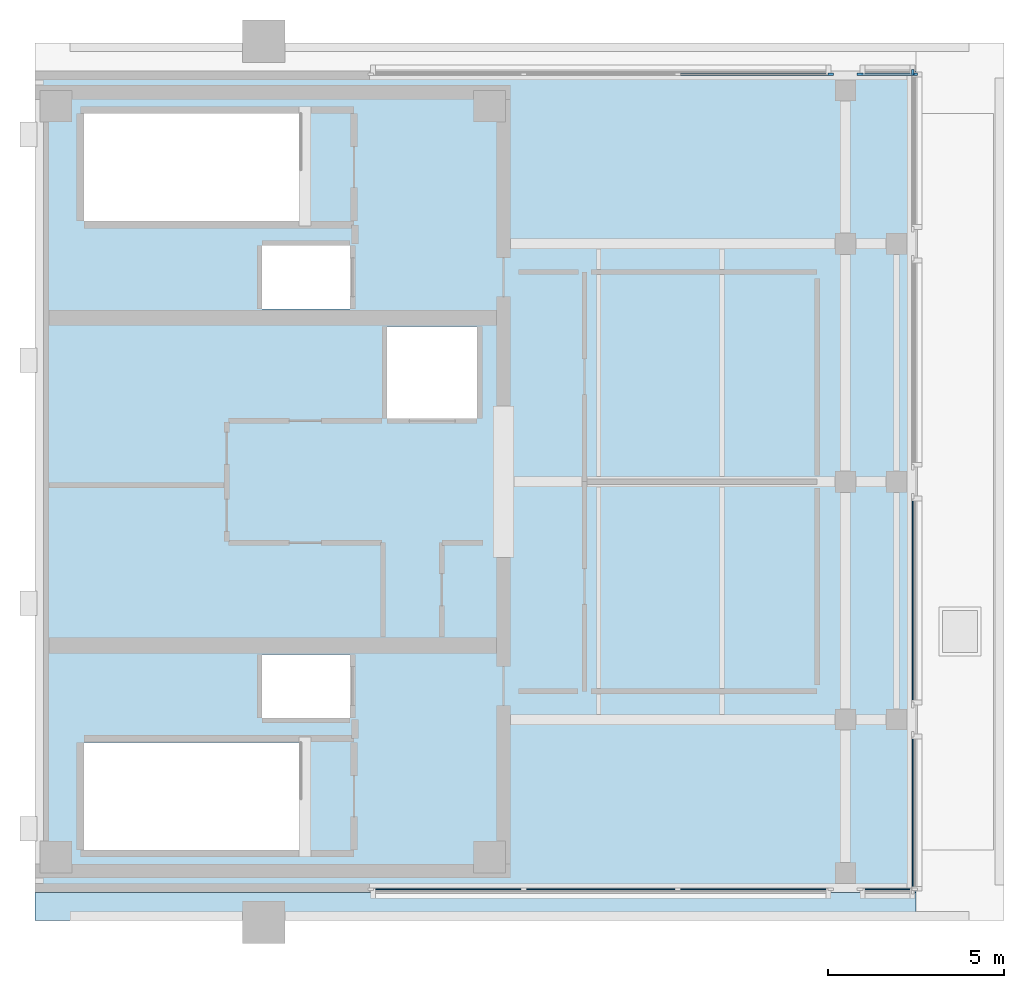
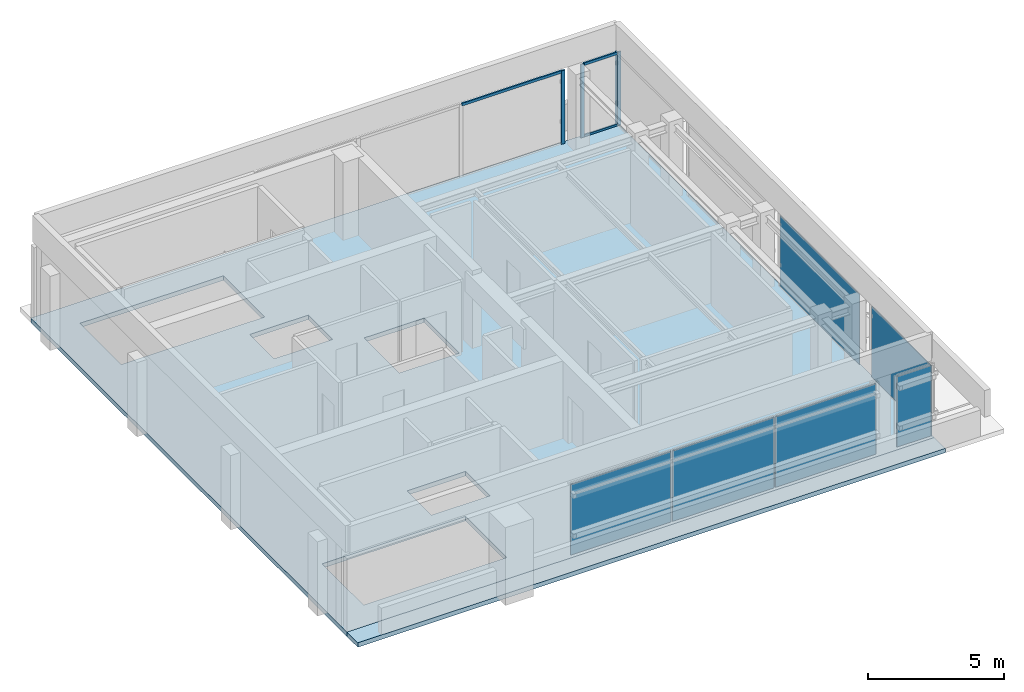
# One storey, part 2 of 5: 7 members, 6 plates, 2 slabs, 7 elements without a shape of their own.
"""IFC4 building model written with IfcOpenShell, lengths in metres."""

import ifcopenshell
import ifcopenshell.guid

model = None  # the IFC model being written
_history = None  # IfcOwnerHistory: only IFC2X3 demands one
_inside = {}  # id of a spatial element -> (the spatial element, [elements in it])
_under = {}  # id of a project, library or spatial element -> (it, [spatial elements below it])
_declared = {}  # id of a project -> (the project, [libraries it declares])
_typed = {}  # id of a type object -> (the type object, [elements of that type])
_made_of = {}  # id of a material, layer set ... -> (it, [elements and type objects made of it])


def new_model(schema):
    """Start an empty IFC model of exactly this schema.

    Asked for "IFC4X3", IfcOpenShell would pick the latest addendum, in which some entities
    have other attributes; the version numbers below select the first issue.
    IFC2X3 requires an IfcOwnerHistory on every rooted entity: one is made here for all.
    """
    global model, _history
    if schema == "IFC4X3":
        model = ifcopenshell.file(schema_version=(4, 3, 0, 0))
    else:
        model = ifcopenshell.file(schema=schema)
    _inside.clear()
    _under.clear()
    _declared.clear()
    _typed.clear()
    _made_of.clear()
    _history = None
    if model.schema == "IFC2X3":
        org = make("IfcOrganization", Name="unknown")
        user = make(
            "IfcPersonAndOrganization",
            ThePerson=make("IfcPerson", FamilyName="unknown"),
            TheOrganization=org,
        )
        app = make(
            "IfcApplication",
            ApplicationDeveloper=org,
            Version="unknown",
            ApplicationFullName="unknown",
            ApplicationIdentifier="unknown",
        )
        _history = make(
            "IfcOwnerHistory",
            OwningUser=user,
            OwningApplication=app,
            ChangeAction="ADDED",
            CreationDate=0,
        )
    return model


def make(cls, **values):
    """One entity of the class cls with the attributes given. An attribute that is None is left unset."""
    return model.create_entity(
        cls, **{name: value for name, value in values.items() if value is not None}
    )


def rooted(cls, **values):
    """An entity with a GlobalId (a new one), such as an element, a storey or a relation."""
    return make(cls, GlobalId=ifcopenshell.guid.new(), OwnerHistory=_history, **values)


def si_unit(unit_type, name, prefix=None):
    """IfcSIUnit, for example si_unit("LENGTHUNIT", "METRE", prefix="MILLI")."""
    return make("IfcSIUnit", UnitType=unit_type, Prefix=prefix, Name=name)


def assignment(units):
    """IfcUnitAssignment: the units of a project."""
    return None if units is None else make("IfcUnitAssignment", Units=units)


def point(xyz):
    """IfcCartesianPoint."""
    return None if xyz is None else make("IfcCartesianPoint", Coordinates=xyz)


def direction(xyz):
    """IfcDirection."""
    return None if xyz is None else make("IfcDirection", DirectionRatios=xyz)


def frame(location, z_axis=None, x_axis=None):
    """IfcAxis2Placement3D, a coordinate frame: its origin and axes. An axis left out is left unset."""
    return make(
        "IfcAxis2Placement3D",
        Location=point(location),
        Axis=direction(z_axis),
        RefDirection=direction(x_axis),
    )


def frame_2d(location, x_axis=None):
    """IfcAxis2Placement2D, a coordinate frame in the plane: its origin and x axis."""
    return make(
        "IfcAxis2Placement2D", Location=point(location), RefDirection=direction(x_axis)
    )


def origin():
    """The frame at (0, 0, 0) with its axes left unset."""
    return frame((0.0, 0.0, 0.0))


def origin_2d():
    """The frame at (0, 0) in the plane with its x axis left unset."""
    return frame_2d((0.0, 0.0))


def place(relative_to, where):
    """IfcLocalPlacement: puts the frame where relative to a parent placement (None: the world)."""
    return make(
        "IfcLocalPlacement", PlacementRelTo=relative_to, RelativePlacement=where
    )


def context(
    kind, dimensions, precision=None, world=None, true_north=None, identifier=None
):
    """IfcGeometricRepresentationContext, for example the 3D "Model" context."""
    return make(
        "IfcGeometricRepresentationContext",
        ContextIdentifier=identifier,
        ContextType=kind,
        CoordinateSpaceDimension=dimensions,
        Precision=precision,
        WorldCoordinateSystem=world,
        TrueNorth=true_north,
    )


def subcontext(parent, identifier, kind, view, scale=None):
    """IfcGeometricRepresentationSubContext, for example "Body" below "Model"."""
    return make(
        "IfcGeometricRepresentationSubContext",
        ContextIdentifier=identifier,
        ContextType=kind,
        ParentContext=parent,
        TargetScale=scale,
        TargetView=view,
    )


def project(units=None, contexts=None):
    """IfcProject with its units and contexts."""
    return rooted(
        "IfcProject",
        Name="project",
        RepresentationContexts=contexts,
        UnitsInContext=assignment(units),
    )


def spatial(cls, under=None, at=None, **own):
    """A site, building, storey or space (cls), placed at a placement, below another one or the project."""
    s = rooted(cls, ObjectPlacement=at, **own)
    if under is not None:
        _under.setdefault(under.id(), (under, []))[1].append(s)
    return s


def polyline(points):
    """IfcPolyline through the points."""
    return make("IfcPolyline", Points=[point(p) for p in points])


def profile(cls, at=None, kind="AREA", **sizes):
    """A parametric profile (cls). Its sizes go by their IFC names, for example OverallWidth=200.0."""
    return make(cls, ProfileType=kind, Position=at, **sizes)


def rectangle(**sizes):
    """IfcRectangleProfileDef."""
    return profile("IfcRectangleProfileDef", **sizes)


def outline(outer, holes=None, kind="AREA"):
    """IfcArbitraryClosedProfileDef: a profile drawn as a closed curve; with holes, ...WithVoids."""
    if holes is None:
        return make("IfcArbitraryClosedProfileDef", ProfileType=kind, OuterCurve=outer)
    return make(
        "IfcArbitraryProfileDefWithVoids",
        ProfileType=kind,
        OuterCurve=outer,
        InnerCurves=holes,
    )


def extrude(swept, where, along, depth):
    """IfcExtrudedAreaSolid: the profile swept, set in the frame where, extruded along a direction by depth."""
    return make(
        "IfcExtrudedAreaSolid",
        SweptArea=swept,
        Position=where,
        ExtrudedDirection=direction(along),
        Depth=depth,
    )


def shape(context_of_items, identifier, shape_type, items):
    """IfcShapeRepresentation: the items that make up one representation, for example the "Body"."""
    return make(
        "IfcShapeRepresentation",
        ContextOfItems=context_of_items,
        RepresentationIdentifier=identifier,
        RepresentationType=shape_type,
        Items=items,
    )


def material(Name=None, Category=None):
    """IfcMaterial."""
    return make("IfcMaterial", Name=Name, Category=Category)


def layer(
    of_material, thickness, ventilated=None, Name=None, Category=None, Priority=None
):
    """IfcMaterialLayer: one layer of a wall or slab, of a material (None: an air gap)."""
    return make(
        "IfcMaterialLayer",
        Material=of_material,
        LayerThickness=thickness,
        IsVentilated=ventilated,
        Name=Name,
        Category=Category,
        Priority=Priority,
    )


def layer_set(layers, Name=None):
    """IfcMaterialLayerSet."""
    return make("IfcMaterialLayerSet", MaterialLayers=layers, LayerSetName=Name)


def material_profile(
    of_material, cross_section, Name=None, Category=None, Priority=None
):
    """IfcMaterialProfile: a cross section and its material."""
    return make(
        "IfcMaterialProfile",
        Name=Name,
        Material=of_material,
        Profile=cross_section,
        Priority=Priority,
        Category=Category,
    )


def profile_set(profiles, Name=None, composite=None):
    """IfcMaterialProfileSet."""
    return make(
        "IfcMaterialProfileSet",
        Name=Name,
        MaterialProfiles=profiles,
        CompositeProfile=composite,
    )


def made_of(thing, what):
    """Note that an element or type object is made of a material, layer set ...; save() writes the relation."""
    if what is not None:
        _made_of.setdefault(what.id(), (what, []))[1].append(thing)
    return thing


def type_object(cls, material=None, **own):
    """A type object (cls), such as IfcWallType, which elements share."""
    return made_of(rooted(cls, **own), material)


def element(
    cls,
    number,
    at=None,
    inside=None,
    cuts=None,
    type_object=None,
    material=None,
    context=None,
    identifier="Body",
    shape_type=None,
    held_by="IfcProductDefinitionShape",
    body=None,
    shapes=None,
    **own,
):
    """One element of the class cls, such as IfcWall. Its Tag is "e" and its number.

    at: its placement. inside: the storey or other place that contains it. cuts: it is an
    opening in that element (IfcRelVoidsElement). A single representation is given by context,
    identifier, shape_type and body (its items); several are given by shapes. held_by: the class
    of the entity that holds the representations. save() writes the other relations.
    """
    e = rooted(cls, Tag="e%d" % number, ObjectPlacement=at, **own)
    if body is not None:
        shapes = [shape(context, identifier, shape_type, body)]
    if shapes is not None:
        e.Representation = make(held_by, Representations=shapes)
    if inside is not None:
        _inside.setdefault(inside.id(), (inside, []))[1].append(e)
    if cuts is not None:
        rooted(
            "IfcRelVoidsElement", RelatingBuildingElement=cuts, RelatedOpeningElement=e
        )
    if type_object is not None:
        _typed.setdefault(type_object.id(), (type_object, []))[1].append(e)
    return made_of(e, material)


def aggregate(whole, parts):
    """IfcRelAggregates: a whole, such as a stair, and the parts it consists of."""
    return rooted("IfcRelAggregates", RelatingObject=whole, RelatedObjects=parts)


def save(model, path):
    """Write the relations noted so far, then the file.

    IfcRelAggregates (storeys below a building ...), IfcRelContainedInSpatialStructure (elements
    in a storey), IfcRelDefinesByType, IfcRelAssociatesMaterial and IfcRelDeclares: one each for
    every whole, place, type object, material and project.
    """
    for whole, parts in _under.values():
        aggregate(whole, parts)
    for where, things in _inside.values():
        rooted(
            "IfcRelContainedInSpatialStructure",
            RelatedElements=things,
            RelatingStructure=where,
        )
    for kind, things in _typed.values():
        rooted("IfcRelDefinesByType", RelatedObjects=things, RelatingType=kind)
    for what, things in _made_of.values():
        rooted("IfcRelAssociatesMaterial", RelatedObjects=things, RelatingMaterial=what)
    for by, libraries in _declared.values():
        rooted("IfcRelDeclares", RelatingContext=by, RelatedDefinitions=libraries)
    model.write(path)


model = new_model("IFC4")

# Units and contexts
model_context = context("Model", 3, precision=1e-05, world=origin(), true_north=direction((0.0, 1.0)))
body_context = subcontext(model_context, "Body", "Model", "MODEL_VIEW")
ifc_project = project(units=[si_unit("LENGTHUNIT", "METRE"), si_unit("AREAUNIT", "SQUARE_METRE"), si_unit("VOLUMEUNIT", "CUBIC_METRE"), si_unit("PLANEANGLEUNIT", "RADIAN"), si_unit("MASSUNIT", "GRAM", prefix="KILO")], contexts=[model_context])

# Site, building, storey
site_placement = place(None, origin())
site = spatial("IfcSite", under=ifc_project, at=site_placement, CompositionType="ELEMENT")
building_placement = place(site_placement, origin())
building = spatial("IfcBuilding", under=site, at=building_placement, Name="Kinhvarn Gate Tower", CompositionType="ELEMENT")
storey_placement = place(building_placement, frame((0.0, 0.0, 321.550048828125)))
storey = spatial("IfcBuildingStorey", under=building, at=storey_placement, Name="L85", CompositionType="ELEMENT", Elevation=321.550048828125)

# Curtain wall, members
ifc_material_1 = material(Name="Anodised aluminium AW-6063", Category="aluminium")
ifc_layer_1 = layer(ifc_material_1, 0.199951171875)
ifc_layer_set_1 = layer_set([ifc_layer_1], Name="Anodised aluminium AW-6063")
curtain_wall_type = type_object("IfcCurtainWallType", Name="CW-SYS-6", PredefinedType="NOTDEFINED", material=ifc_layer_set_1)
curtain_wall_1_placement = place(storey_placement, origin())
curtain_wall_1 = element("IfcCurtainWall", 1, at=curtain_wall_1_placement, inside=storey, type_object=curtain_wall_type, Name="Curtain Wall CW6 (L85)", PredefinedType="NOTDEFINED")
ifc_material_profile_1 = material_profile(ifc_material_1, rectangle(XDim=0.06494140625, YDim=0.159912109375, at=origin_2d()), Name="ALU 65x160")
ifc_profile_set_1 = profile_set([ifc_material_profile_1], Name="Anodised aluminium AW-6063")
member_type_1 = type_object("IfcMemberType", Name="CW-MUL-160", PredefinedType="MULLION", material=ifc_profile_set_1)
member_1_placement = place(storey_placement, frame((29.467529296875, 36.81005859375, 0.0), z_axis=(0.0, 0.0, 1.0), x_axis=(0.0, -1.0, 0.0)))
member_1 = element("IfcMember", 2, at=member_1_placement, type_object=member_type_1, Name="CW6 mullion 1", PredefinedType="MULLION", context=body_context, shape_type="SweptSolid", body=[
    extrude(rectangle(XDim=0.06494140625, YDim=0.159912109375, at=origin_2d()), origin(), (0.0, 0.0, 1.0), 3.300048828125),
])
member_2_placement = place(storey_placement, frame((27.91259765625, 36.81005859375, 0.0), z_axis=(0.0, 0.0, 1.0), x_axis=(0.0, -1.0, 0.0)))
member_2 = element("IfcMember", 3, at=member_2_placement, type_object=member_type_1, Name="CW6 mullion 2", PredefinedType="MULLION", context=body_context, shape_type="SweptSolid", body=[
    extrude(rectangle(XDim=0.06494140625, YDim=0.159912109375, at=origin_2d()), origin(), (0.0, 0.0, 1.0), 3.300048828125),
])

# Curtain wall, member
curtain_wall_2_placement = place(storey_placement, origin())
curtain_wall_2 = element("IfcCurtainWall", 4, at=curtain_wall_2_placement, inside=storey, type_object=curtain_wall_type, Name="Curtain Wall CW6 (L85)", PredefinedType="NOTDEFINED")
member_3_placement = place(storey_placement, frame((27.08740234375, 36.81005859375, 0.0), z_axis=(0.0, 0.0, 1.0), x_axis=(0.0, -1.0, 0.0)))
member_3 = element("IfcMember", 5, at=member_3_placement, type_object=member_type_1, Name="CW6 mullion 1", PredefinedType="MULLION", context=body_context, shape_type="SweptSolid", body=[
    extrude(rectangle(XDim=0.06494140625, YDim=0.159912109375, at=origin_2d()), origin(), (0.0, 0.0, 1.0), 3.300048828125),
])

curtain_wall_3_placement = place(storey_placement, origin())
curtain_wall_3 = element("IfcCurtainWall", 6, at=curtain_wall_3_placement, inside=storey, type_object=curtain_wall_type, Name="Curtain Wall CW6 (L85)", PredefinedType="NOTDEFINED")
member_4_placement = place(storey_placement, frame((29.409912109375, 36.867431640625, 0.0), z_axis=(0.0, 0.0, 1.0), x_axis=(-1.0, 0.0, 0.0)))
member_4 = element("IfcMember", 7, at=member_4_placement, type_object=member_type_1, Name="CW6 mullion 2", PredefinedType="MULLION", context=body_context, shape_type="SweptSolid", body=[
    extrude(rectangle(XDim=0.06494140625, YDim=0.159912109375, at=origin_2d()), origin(), (0.0, 0.0, 1.0), 3.300048828125),
])
aggregate(curtain_wall_3, [member_4])

# Member
ifc_material_profile_2 = material_profile(ifc_material_1, rectangle(XDim=0.06494140625, YDim=0.1201171875, at=origin_2d()), Name="ALU 65x120")
ifc_profile_set_2 = profile_set([ifc_material_profile_2], Name="Anodised aluminium AW-6063")
member_type_2 = type_object("IfcMemberType", Name="CW-TRN-120", PredefinedType="USERDEFINED", material=ifc_profile_set_2)
member_5_placement = place(storey_placement, frame((29.43505859375, 36.81005859375, 0.032470703125), z_axis=(-1.0, 0.0, 0.0), x_axis=(0.0, -1.0, 0.0)))
member_5 = element("IfcMember", 8, at=member_5_placement, type_object=member_type_2, Name="CW6 transom 1.1", ObjectType="TRANSOM", PredefinedType="USERDEFINED", context=body_context, shape_type="SweptSolid", body=[
    extrude(rectangle(XDim=0.06494140625, YDim=0.1201171875, at=origin_2d()), origin(), (0.0, 0.0, 1.0), 1.489990234375),
])

member_6_placement = place(storey_placement, frame((29.43505859375, 36.81005859375, 3.267333984375), z_axis=(-1.0, 0.0, 0.0), x_axis=(0.0, -1.0, 0.0)))
member_6 = element("IfcMember", 9, at=member_6_placement, type_object=member_type_2, Name="CW6 transom 1.2", ObjectType="TRANSOM", PredefinedType="USERDEFINED", context=body_context, shape_type="SweptSolid", body=[
    extrude(rectangle(XDim=0.06494140625, YDim=0.1201171875, at=origin_2d()), origin(), (0.0, 0.0, 1.0), 1.489990234375),
])

aggregate(curtain_wall_1, [member_1, member_2, member_5, member_6])

member_7_placement = place(storey_placement, frame((27.054931640625, 36.81005859375, 3.267333984375), z_axis=(-1.0, 0.0, 0.0), x_axis=(0.0, -1.0, 0.0)))
member_7 = element("IfcMember", 10, at=member_7_placement, type_object=member_type_2, Name="CW6 transom 1.2", ObjectType="TRANSOM", PredefinedType="USERDEFINED", context=body_context, shape_type="SweptSolid", body=[
    extrude(rectangle(XDim=0.06494140625, YDim=0.1201171875, at=origin_2d()), origin(), (0.0, 0.0, 1.0), 4.27587890625),
])

aggregate(curtain_wall_2, [member_3, member_7])

# Curtain wall, plates
curtain_wall_4_placement = place(storey_placement, origin())
curtain_wall_4 = element("IfcCurtainWall", 11, at=curtain_wall_4_placement, inside=storey, type_object=curtain_wall_type, Name="Curtain Wall CW6 (L85)", PredefinedType="NOTDEFINED")
ifc_material_2 = material(Name="Clear low-e double glazing", Category="glass")
ifc_layer_2 = layer(ifc_material_2, 0.031982421875)
ifc_layer_set_2 = layer_set([ifc_layer_2], Name="Clear low-e double glazing")
plate_type = type_object("IfcPlateType", Name="CW-PNL-VIS", PredefinedType="CURTAIN_PANEL", material=ifc_layer_set_2)
plate_1_placement = place(storey_placement, frame((16.202880859375, 13.68994140625, 0.06494140625), z_axis=(0.0, 0.0, 1.0), x_axis=(1.0, 0.0, 0.0)))
plate_1 = element("IfcPlate", 12, at=plate_1_placement, type_object=plate_type, Name="CW6 panel 1.1", PredefinedType="CURTAIN_PANEL", context=body_context, shape_type="SweptSolid", body=[
    extrude(rectangle(XDim=4.27587890625, YDim=0.031982421875, at=origin_2d()), origin(), (0.0, 0.0, 1.0), 3.169921875),
])
plate_2_placement = place(storey_placement, frame((20.56005859375, 13.68994140625, 0.06494140625), z_axis=(0.0, 0.0, 1.0), x_axis=(1.0, 0.0, 0.0)))
plate_2 = element("IfcPlate", 13, at=plate_2_placement, type_object=plate_type, Name="CW6 panel 2.1", PredefinedType="CURTAIN_PANEL", context=body_context, shape_type="SweptSolid", body=[
    extrude(rectangle(XDim=4.308349609375, YDim=0.031982421875, at=origin_2d()), origin(), (0.0, 0.0, 1.0), 3.169921875),
])
plate_3_placement = place(storey_placement, frame((24.9169921875, 13.68994140625, 0.06494140625), z_axis=(0.0, 0.0, 1.0), x_axis=(1.0, 0.0, 0.0)))
plate_3 = element("IfcPlate", 14, at=plate_3_placement, type_object=plate_type, Name="CW6 panel 3.1", PredefinedType="CURTAIN_PANEL", context=body_context, shape_type="SweptSolid", body=[
    extrude(rectangle(XDim=4.27587890625, YDim=0.031982421875, at=origin_2d()), origin(), (0.0, 0.0, 1.0), 3.169921875),
])
aggregate(curtain_wall_4, [plate_1, plate_2, plate_3])

# Curtain wall, plate
curtain_wall_5_placement = place(storey_placement, origin())
curtain_wall_5 = element("IfcCurtainWall", 15, at=curtain_wall_5_placement, inside=storey, type_object=curtain_wall_type, Name="Curtain Wall CW6 (L85)", PredefinedType="NOTDEFINED")
plate_4_placement = place(storey_placement, frame((28.68994140625, 13.68994140625, 0.06494140625), z_axis=(0.0, 0.0, 1.0), x_axis=(1.0, 0.0, 0.0)))
plate_4 = element("IfcPlate", 16, at=plate_4_placement, type_object=plate_type, Name="CW6 panel 1.1", PredefinedType="CURTAIN_PANEL", context=body_context, shape_type="SweptSolid", body=[
    extrude(rectangle(XDim=1.489990234375, YDim=0.031982421875, at=origin_2d()), origin(), (0.0, 0.0, 1.0), 3.169921875),
])
aggregate(curtain_wall_5, [plate_4])

curtain_wall_6_placement = place(storey_placement, origin())
curtain_wall_6 = element("IfcCurtainWall", 17, at=curtain_wall_6_placement, inside=storey, type_object=curtain_wall_type, Name="Curtain Wall CW6 (L85)", PredefinedType="NOTDEFINED")
plate_5_placement = place(storey_placement, frame((29.409912109375, 15.860107421875, 0.06494140625), z_axis=(0.0, 0.0, 1.0), x_axis=(0.0, 1.0, 0.0)))
plate_5 = element("IfcPlate", 18, at=plate_5_placement, type_object=plate_type, Name="CW6 panel 1.1", PredefinedType="CURTAIN_PANEL", context=body_context, shape_type="SweptSolid", body=[
    extrude(rectangle(XDim=4.389892578125, YDim=0.031982421875, at=origin_2d()), origin(), (0.0, 0.0, 1.0), 3.169921875),
])
aggregate(curtain_wall_6, [plate_5])

curtain_wall_7_placement = place(storey_placement, origin())
curtain_wall_7 = element("IfcCurtainWall", 19, at=curtain_wall_7_placement, inside=storey, type_object=curtain_wall_type, Name="Curtain Wall CW6 (L85)", PredefinedType="NOTDEFINED")
plate_6_placement = place(storey_placement, frame((29.409912109375, 21.875, 0.06494140625), z_axis=(0.0, 0.0, 1.0), x_axis=(0.0, 1.0, 0.0)))
plate_6 = element("IfcPlate", 20, at=plate_6_placement, type_object=plate_type, Name="CW6 panel 1.1", PredefinedType="CURTAIN_PANEL", context=body_context, shape_type="SweptSolid", body=[
    extrude(rectangle(XDim=5.860107421875, YDim=0.031982421875, at=origin_2d()), origin(), (0.0, 0.0, 1.0), 3.169921875),
])
aggregate(curtain_wall_7, [plate_6])

# Slabs
ifc_material_3 = material(Name="Concrete C40/50", Category="concrete")
ifc_layer_3 = layer(ifc_material_3, 0.199951171875)
ifc_layer_set_3 = layer_set([ifc_layer_3], Name="Concrete C40/50")
slab_type_1 = type_object("IfcSlabType", Name="SLB-FLR-200", PredefinedType="FLOOR", material=ifc_layer_set_3)
slab_1_placement = place(storey_placement, frame((0.0, 0.0, -0.199951171875)))
element("IfcSlab", 21, at=slab_1_placement, inside=storey, type_object=slab_type_1, Name="Suspended Floor Slab L85", PredefinedType="FLOOR", context=body_context, shape_type="SweptSolid", body=[
    extrude(outline(polyline([(4.5, 13.60009765625), (29.5, 13.60009765625), (29.5, 36.89990234375), (4.5, 36.89990234375), (4.5, 13.60009765625)]), holes=[polyline([(5.89990234375, 14.800048828125), (12.0, 14.800048828125), (12.0, 17.85009765625), (5.89990234375, 17.85009765625), (5.89990234375, 14.800048828125)]), polyline([(5.89990234375, 32.64990234375), (12.0, 32.64990234375), (12.0, 35.699951171875), (5.89990234375, 35.699951171875), (5.89990234375, 32.64990234375)]), polyline([(14.5, 27.050048828125), (17.050048828125, 27.050048828125), (17.050048828125, 29.64990234375), (14.5, 29.64990234375), (14.5, 27.050048828125)]), polyline([(10.949951171875, 18.550048828125), (13.449951171875, 18.550048828125), (13.449951171875, 20.35009765625), (10.949951171875, 20.35009765625), (10.949951171875, 18.550048828125)]), polyline([(10.949951171875, 30.14990234375), (13.449951171875, 30.14990234375), (13.449951171875, 31.949951171875), (10.949951171875, 31.949951171875), (10.949951171875, 30.14990234375)])]), origin(), (0.0, 0.0, 1.0), 0.199951171875),
])
ifc_material_4 = material(Name="Concrete C50/60", Category="concrete")
ifc_layer_4 = layer(ifc_material_4, 0.199951171875)
ifc_layer_set_4 = layer_set([ifc_layer_4], Name="Concrete C50/60")
slab_type_2 = type_object("IfcSlabType", Name="SLB-ROOF-200", PredefinedType="ROOF", material=ifc_layer_set_4)
slab_2_placement = place(storey_placement, frame((0.0, 0.0, -0.199951171875)))
element("IfcSlab", 22, at=slab_2_placement, inside=storey, type_object=slab_type_2, Name="Stepped Crown Ledge Roof Slab L85-S", PredefinedType="ROOF", context=body_context, shape_type="SweptSolid", body=[
    extrude(outline(polyline([(4.5, 12.800048828125), (4.5, 13.60009765625), (29.5, 13.60009765625), (29.5, 12.800048828125), (4.5, 12.800048828125)])), origin(), (0.0, 0.0, 1.0), 0.199951171875),
])

save(model, "model.ifc")
